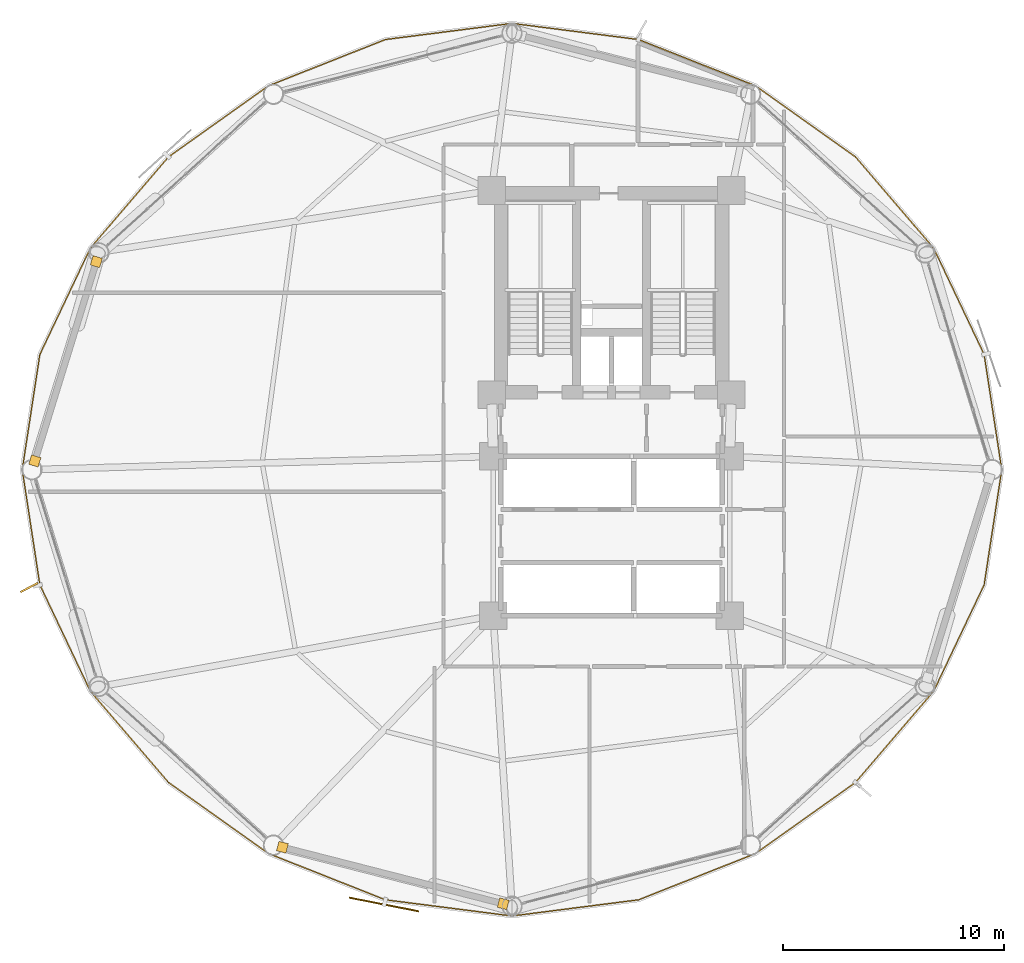
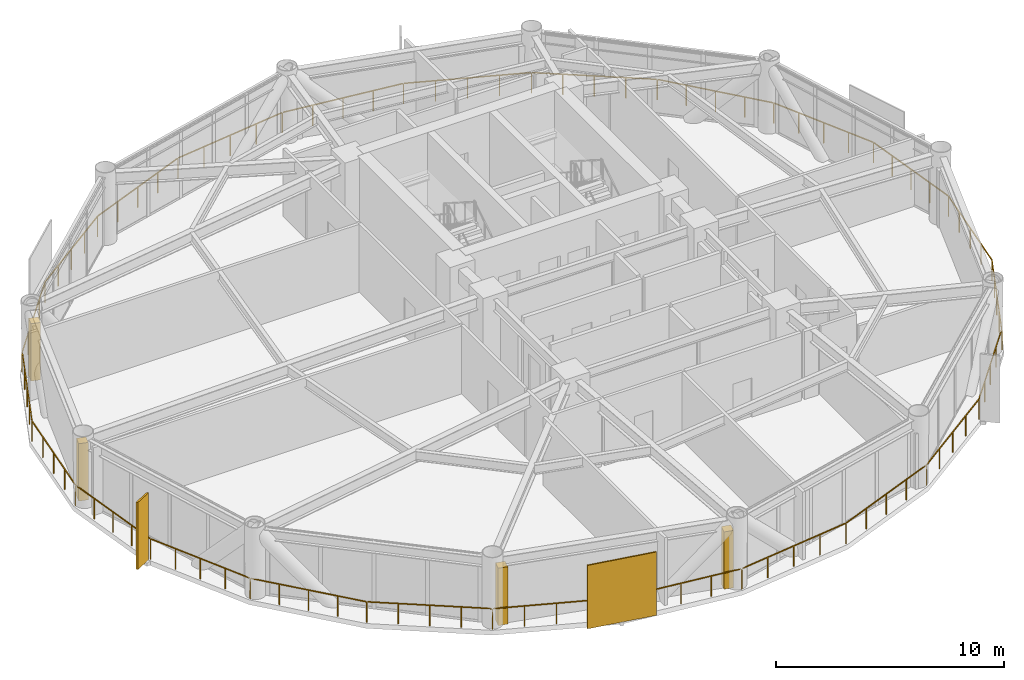
# One storey, part 23 of 25: 4 coverings, 2 shading devices, 1 railing.
"""IFC4 building model written with IfcOpenShell, lengths in metres."""

import ifcopenshell
import ifcopenshell.guid

model = None  # the IFC model being written
_history = None  # IfcOwnerHistory: only IFC2X3 demands one
_inside = {}  # id of a spatial element -> (the spatial element, [elements in it])
_under = {}  # id of a project, library or spatial element -> (it, [spatial elements below it])
_declared = {}  # id of a project -> (the project, [libraries it declares])
_typed = {}  # id of a type object -> (the type object, [elements of that type])
_made_of = {}  # id of a material, layer set ... -> (it, [elements and type objects made of it])


def new_model(schema):
    """Start an empty IFC model of exactly this schema.

    Asked for "IFC4X3", IfcOpenShell would pick the latest addendum, in which some entities
    have other attributes; the version numbers below select the first issue.
    IFC2X3 requires an IfcOwnerHistory on every rooted entity: one is made here for all.
    """
    global model, _history
    if schema == "IFC4X3":
        model = ifcopenshell.file(schema_version=(4, 3, 0, 0))
    else:
        model = ifcopenshell.file(schema=schema)
    _inside.clear()
    _under.clear()
    _declared.clear()
    _typed.clear()
    _made_of.clear()
    _history = None
    if model.schema == "IFC2X3":
        org = make("IfcOrganization", Name="unknown")
        user = make(
            "IfcPersonAndOrganization",
            ThePerson=make("IfcPerson", FamilyName="unknown"),
            TheOrganization=org,
        )
        app = make(
            "IfcApplication",
            ApplicationDeveloper=org,
            Version="unknown",
            ApplicationFullName="unknown",
            ApplicationIdentifier="unknown",
        )
        _history = make(
            "IfcOwnerHistory",
            OwningUser=user,
            OwningApplication=app,
            ChangeAction="ADDED",
            CreationDate=0,
        )
    return model


def make(cls, **values):
    """One entity of the class cls with the attributes given. An attribute that is None is left unset."""
    return model.create_entity(
        cls, **{name: value for name, value in values.items() if value is not None}
    )


def rooted(cls, **values):
    """An entity with a GlobalId (a new one), such as an element, a storey or a relation."""
    return make(cls, GlobalId=ifcopenshell.guid.new(), OwnerHistory=_history, **values)


def si_unit(unit_type, name, prefix=None):
    """IfcSIUnit, for example si_unit("LENGTHUNIT", "METRE", prefix="MILLI")."""
    return make("IfcSIUnit", UnitType=unit_type, Prefix=prefix, Name=name)


def assignment(units):
    """IfcUnitAssignment: the units of a project."""
    return None if units is None else make("IfcUnitAssignment", Units=units)


def point(xyz):
    """IfcCartesianPoint."""
    return None if xyz is None else make("IfcCartesianPoint", Coordinates=xyz)


def direction(xyz):
    """IfcDirection."""
    return None if xyz is None else make("IfcDirection", DirectionRatios=xyz)


def frame(location, z_axis=None, x_axis=None):
    """IfcAxis2Placement3D, a coordinate frame: its origin and axes. An axis left out is left unset."""
    return make(
        "IfcAxis2Placement3D",
        Location=point(location),
        Axis=direction(z_axis),
        RefDirection=direction(x_axis),
    )


def frame_2d(location, x_axis=None):
    """IfcAxis2Placement2D, a coordinate frame in the plane: its origin and x axis."""
    return make(
        "IfcAxis2Placement2D", Location=point(location), RefDirection=direction(x_axis)
    )


def origin():
    """The frame at (0, 0, 0) with its axes left unset."""
    return frame((0.0, 0.0, 0.0))


def origin_2d():
    """The frame at (0, 0) in the plane with its x axis left unset."""
    return frame_2d((0.0, 0.0))


def place(relative_to, where):
    """IfcLocalPlacement: puts the frame where relative to a parent placement (None: the world)."""
    return make(
        "IfcLocalPlacement", PlacementRelTo=relative_to, RelativePlacement=where
    )


def context(
    kind, dimensions, precision=None, world=None, true_north=None, identifier=None
):
    """IfcGeometricRepresentationContext, for example the 3D "Model" context."""
    return make(
        "IfcGeometricRepresentationContext",
        ContextIdentifier=identifier,
        ContextType=kind,
        CoordinateSpaceDimension=dimensions,
        Precision=precision,
        WorldCoordinateSystem=world,
        TrueNorth=true_north,
    )


def subcontext(parent, identifier, kind, view, scale=None):
    """IfcGeometricRepresentationSubContext, for example "Body" below "Model"."""
    return make(
        "IfcGeometricRepresentationSubContext",
        ContextIdentifier=identifier,
        ContextType=kind,
        ParentContext=parent,
        TargetScale=scale,
        TargetView=view,
    )


def project(units=None, contexts=None):
    """IfcProject with its units and contexts."""
    return rooted(
        "IfcProject",
        Name="project",
        RepresentationContexts=contexts,
        UnitsInContext=assignment(units),
    )


def spatial(cls, under=None, at=None, **own):
    """A site, building, storey or space (cls), placed at a placement, below another one or the project."""
    s = rooted(cls, ObjectPlacement=at, **own)
    if under is not None:
        _under.setdefault(under.id(), (under, []))[1].append(s)
    return s


def profile(cls, at=None, kind="AREA", **sizes):
    """A parametric profile (cls). Its sizes go by their IFC names, for example OverallWidth=200.0."""
    return make(cls, ProfileType=kind, Position=at, **sizes)


def rectangle(**sizes):
    """IfcRectangleProfileDef."""
    return profile("IfcRectangleProfileDef", **sizes)


def extrude(swept, where, along, depth):
    """IfcExtrudedAreaSolid: the profile swept, set in the frame where, extruded along a direction by depth."""
    return make(
        "IfcExtrudedAreaSolid",
        SweptArea=swept,
        Position=where,
        ExtrudedDirection=direction(along),
        Depth=depth,
    )


def shape(context_of_items, identifier, shape_type, items):
    """IfcShapeRepresentation: the items that make up one representation, for example the "Body"."""
    return make(
        "IfcShapeRepresentation",
        ContextOfItems=context_of_items,
        RepresentationIdentifier=identifier,
        RepresentationType=shape_type,
        Items=items,
    )


def source(mapping_origin, context_of_items, identifier, shape_type, items):
    """IfcRepresentationMap: a shape defined once, which mapped items show again and again."""
    return make(
        "IfcRepresentationMap",
        MappingOrigin=mapping_origin,
        MappedRepresentation=shape(context_of_items, identifier, shape_type, items),
    )


def transform(
    local_origin,
    x_axis=None,
    y_axis=None,
    z_axis=None,
    scale=None,
    scale2=None,
    scale3=None,
    uniform=True,
):
    """IfcCartesianTransformationOperator3D, or its non-uniform kind. x_axis, y_axis, z_axis: its Axis1, 2, 3."""
    if uniform:
        return make(
            "IfcCartesianTransformationOperator3D",
            Axis1=direction(x_axis),
            Axis2=direction(y_axis),
            LocalOrigin=point(local_origin),
            Scale=scale,
            Axis3=direction(z_axis),
        )
    return make(
        "IfcCartesianTransformationOperator3DnonUniform",
        Axis1=direction(x_axis),
        Axis2=direction(y_axis),
        LocalOrigin=point(local_origin),
        Scale=scale,
        Axis3=direction(z_axis),
        Scale2=scale2,
        Scale3=scale3,
    )


def mapped(mapping_source, mapping_target):
    """IfcMappedItem: shows the shape of a source again, moved by a transform."""
    return make(
        "IfcMappedItem", MappingSource=mapping_source, MappingTarget=mapping_target
    )


def material(Name=None, Category=None):
    """IfcMaterial."""
    return make("IfcMaterial", Name=Name, Category=Category)


def layer(
    of_material, thickness, ventilated=None, Name=None, Category=None, Priority=None
):
    """IfcMaterialLayer: one layer of a wall or slab, of a material (None: an air gap)."""
    return make(
        "IfcMaterialLayer",
        Material=of_material,
        LayerThickness=thickness,
        IsVentilated=ventilated,
        Name=Name,
        Category=Category,
        Priority=Priority,
    )


def layer_set(layers, Name=None):
    """IfcMaterialLayerSet."""
    return make("IfcMaterialLayerSet", MaterialLayers=layers, LayerSetName=Name)


def made_of(thing, what):
    """Note that an element or type object is made of a material, layer set ...; save() writes the relation."""
    if what is not None:
        _made_of.setdefault(what.id(), (what, []))[1].append(thing)
    return thing


def type_object(cls, material=None, **own):
    """A type object (cls), such as IfcWallType, which elements share."""
    return made_of(rooted(cls, **own), material)


def type_shapes(of_type, sources):
    """Give a type object the sources (RepresentationMaps) that its elements show as mapped items."""
    of_type.RepresentationMaps = sources


def element(
    cls,
    number,
    at=None,
    inside=None,
    cuts=None,
    type_object=None,
    material=None,
    context=None,
    identifier="Body",
    shape_type=None,
    held_by="IfcProductDefinitionShape",
    body=None,
    shapes=None,
    **own,
):
    """One element of the class cls, such as IfcWall. Its Tag is "e" and its number.

    at: its placement. inside: the storey or other place that contains it. cuts: it is an
    opening in that element (IfcRelVoidsElement). A single representation is given by context,
    identifier, shape_type and body (its items); several are given by shapes. held_by: the class
    of the entity that holds the representations. save() writes the other relations.
    """
    e = rooted(cls, Tag="e%d" % number, ObjectPlacement=at, **own)
    if body is not None:
        shapes = [shape(context, identifier, shape_type, body)]
    if shapes is not None:
        e.Representation = make(held_by, Representations=shapes)
    if inside is not None:
        _inside.setdefault(inside.id(), (inside, []))[1].append(e)
    if cuts is not None:
        rooted(
            "IfcRelVoidsElement", RelatingBuildingElement=cuts, RelatedOpeningElement=e
        )
    if type_object is not None:
        _typed.setdefault(type_object.id(), (type_object, []))[1].append(e)
    return made_of(e, material)


def aggregate(whole, parts):
    """IfcRelAggregates: a whole, such as a stair, and the parts it consists of."""
    return rooted("IfcRelAggregates", RelatingObject=whole, RelatedObjects=parts)


def save(model, path):
    """Write the relations noted so far, then the file.

    IfcRelAggregates (storeys below a building ...), IfcRelContainedInSpatialStructure (elements
    in a storey), IfcRelDefinesByType, IfcRelAssociatesMaterial and IfcRelDeclares: one each for
    every whole, place, type object, material and project.
    """
    for whole, parts in _under.values():
        aggregate(whole, parts)
    for where, things in _inside.values():
        rooted(
            "IfcRelContainedInSpatialStructure",
            RelatedElements=things,
            RelatingStructure=where,
        )
    for kind, things in _typed.values():
        rooted("IfcRelDefinesByType", RelatedObjects=things, RelatingType=kind)
    for what, things in _made_of.values():
        rooted("IfcRelAssociatesMaterial", RelatedObjects=things, RelatingMaterial=what)
    for by, libraries in _declared.values():
        rooted("IfcRelDeclares", RelatingContext=by, RelatedDefinitions=libraries)
    model.write(path)


model = new_model("IFC4")

# Units and contexts
model_context = context("Model", 3, precision=1e-05, world=origin(), true_north=direction((0.0, 1.0)))
body_context = subcontext(model_context, "Body", "Model", "MODEL_VIEW")
ifc_project = project(units=[si_unit("LENGTHUNIT", "METRE"), si_unit("AREAUNIT", "SQUARE_METRE"), si_unit("VOLUMEUNIT", "CUBIC_METRE"), si_unit("PLANEANGLEUNIT", "RADIAN"), si_unit("MASSUNIT", "GRAM", prefix="KILO")], contexts=[model_context])

# Site, building, storey
site_placement = place(None, origin())
site = spatial("IfcSite", under=ifc_project, at=site_placement, CompositionType="ELEMENT")
building_placement = place(site_placement, origin())
building = spatial("IfcBuilding", under=site, at=building_placement, Name="Varnakorn Sky Granary", CompositionType="ELEMENT")
storey_placement = place(building_placement, frame((0.0, 0.0, 70.5)))
storey = spatial("IfcBuildingStorey", under=building, at=storey_placement, Name="L17", CompositionType="ELEMENT", Elevation=70.5)

# Railing
ifc_material = material(Name="Anodised Bronze Aluminium Alloy 6063-T6", Category="aluminium")
railing_type = type_object("IfcRailingType", Name="RL-BAL-1120", PredefinedType="BALUSTRADE", material=ifc_material)
railing_placement = place(storey_placement, frame((20.642822265625, 0.0, 0.0)))
element("IfcRailing", 1, at=railing_placement, inside=storey, type_object=railing_type, Name="Perimeter Slab-Edge Safety Guard L17", PredefinedType="BALUSTRADE", context=body_context, shape_type="SweptSolid", body=[
    extrude(rectangle(XDim=0.048095703125, YDim=0.048095703125, at=origin_2d()), frame((-0.004150390625, -0.027587890625, 1.09619140625), z_axis=(-0.15127007474, -0.988492470628, 0.0), x_axis=(0.988492470628, -0.15127007474, 0.0)), (0.0, 0.0, 1.0), 5.2119140625),
    extrude(rectangle(XDim=0.048095703125, YDim=0.048095703125, at=origin_2d()), frame((-0.808837890625, -5.232666015625, 1.09619140625), z_axis=(-0.428870677809, -0.903365895811, 0.0), x_axis=(0.903365895811, -0.428870677809, 0.0)), (0.0, 0.0, 1.0), 5.268310546875),
    extrude(rectangle(XDim=0.048095703125, YDim=0.048095703125, at=origin_2d()), frame((-3.0986328125, -10.038330078125, 1.09619140625), z_axis=(-0.650457767009, -0.759542423659, 0.0), x_axis=(0.759542423659, -0.650457767009, 0.0)), (0.0, 0.0, 1.0), 5.369140625),
    extrude(rectangle(XDim=0.048095703125, YDim=0.048095703125, at=origin_2d()), frame((-6.6318359375, -14.15380859375, 1.09619140625), z_axis=(-0.814993607154, -0.579469947709, 0.0), x_axis=(0.579469947709, -0.814993607154, 0.0)), (0.0, 0.0, 1.0), 5.4990234375),
    extrude(rectangle(XDim=0.048095703125, YDim=0.048095703125, at=origin_2d()), frame((-11.16259765625, -17.366943359375, 1.09619140625), z_axis=(-0.929926906078, -0.367744407641, 0.0), x_axis=(0.367744407641, -0.929926906078, 0.0)), (0.0, 0.0, 1.0), 5.628173828125),
    extrude(rectangle(XDim=0.048095703125, YDim=0.048095703125, at=origin_2d()), frame((-16.4501953125, -19.45068359375, 1.09619140625), z_axis=(-0.991929514451, -0.12679052946, 0.0), x_axis=(0.12679052946, -0.991929514451, 0.0)), (0.0, 0.0, 1.0), 5.7109375),
    extrude(rectangle(XDim=0.048095703125, YDim=0.048095703125, at=origin_2d()), frame((-22.170654296875, -20.174560546875, 1.09619140625), z_axis=(-0.991929514451, 0.12679052946, 0.0), x_axis=(-0.12679052946, -0.991929514451, 0.0)), (0.0, 0.0, 1.0), 5.7109375),
    extrude(rectangle(XDim=0.048095703125, YDim=0.048095703125, at=origin_2d()), frame((-27.889404296875, -19.436767578125, 1.09619140625), z_axis=(-0.929926906078, 0.367744407641, 0.0), x_axis=(-0.367744407641, -0.929926906078, 0.0)), (0.0, 0.0, 1.0), 5.628173828125),
    extrude(rectangle(XDim=0.048095703125, YDim=0.048095703125, at=origin_2d()), frame((-33.171875, -17.340576171875, 1.09619140625), z_axis=(-0.814993607154, 0.579469947709, 0.0), x_axis=(-0.579469947709, -0.814993607154, 0.0)), (0.0, 0.0, 1.0), 5.4990234375),
    extrude(rectangle(XDim=0.048095703125, YDim=0.048095703125, at=origin_2d()), frame((-37.69482421875, -14.116455078125, 1.09619140625), z_axis=(-0.650457767009, 0.759542423659, 0.0), x_axis=(-0.759542423659, -0.650457767009, 0.0)), (0.0, 0.0, 1.0), 5.369140625),
    extrude(rectangle(XDim=0.048095703125, YDim=0.048095703125, at=origin_2d()), frame((-41.21728515625, -9.99169921875, 1.09619140625), z_axis=(-0.428870677809, 0.903365895811, 0.0), x_axis=(-0.903365895811, -0.428870677809, 0.0)), (0.0, 0.0, 1.0), 5.268310546875),
    extrude(rectangle(XDim=0.048095703125, YDim=0.048095703125, at=origin_2d()), frame((-43.492919921875, -5.1796875, 1.09619140625), z_axis=(-0.15127007474, 0.988492470628, 0.0), x_axis=(-0.988492470628, -0.15127007474, 0.0)), (0.0, 0.0, 1.0), 5.2119140625),
    extrude(rectangle(XDim=0.048095703125, YDim=0.048095703125, at=origin_2d()), frame((-44.281494140625, 0.027587890625, 1.09619140625), z_axis=(0.15127007474, 0.988492470628, 0.0), x_axis=(-0.988492470628, 0.15127007474, 0.0)), (0.0, 0.0, 1.0), 5.2119140625),
    extrude(rectangle(XDim=0.048095703125, YDim=0.048095703125, at=origin_2d()), frame((-43.476806640625, 5.232666015625, 1.09619140625), z_axis=(0.428870677809, 0.903365895811, 0.0), x_axis=(-0.903365895811, 0.428870677809, 0.0)), (0.0, 0.0, 1.0), 5.268310546875),
    extrude(rectangle(XDim=0.048095703125, YDim=0.048095703125, at=origin_2d()), frame((-41.18701171875, 10.038330078125, 1.09619140625), z_axis=(0.650457767009, 0.759542423659, 0.0), x_axis=(-0.759542423659, 0.650457767009, 0.0)), (0.0, 0.0, 1.0), 5.369140625),
    extrude(rectangle(XDim=0.048095703125, YDim=0.048095703125, at=origin_2d()), frame((-37.65380859375, 14.15380859375, 1.09619140625), z_axis=(0.814993607154, 0.579469947709, 0.0), x_axis=(-0.579469947709, 0.814993607154, 0.0)), (0.0, 0.0, 1.0), 5.4990234375),
    extrude(rectangle(XDim=0.048095703125, YDim=0.048095703125, at=origin_2d()), frame((-33.123046875, 17.366943359375, 1.09619140625), z_axis=(0.929926906078, 0.367744407641, 0.0), x_axis=(-0.367744407641, 0.929926906078, 0.0)), (0.0, 0.0, 1.0), 5.628173828125),
    extrude(rectangle(XDim=0.048095703125, YDim=0.048095703125, at=origin_2d()), frame((-27.83544921875, 19.45068359375, 1.09619140625), z_axis=(0.991929514451, 0.12679052946, 0.0), x_axis=(-0.12679052946, 0.991929514451, 0.0)), (0.0, 0.0, 1.0), 5.7109375),
    extrude(rectangle(XDim=0.048095703125, YDim=0.048095703125, at=origin_2d()), frame((-22.114990234375, 20.174560546875, 1.09619140625), z_axis=(0.991929514451, -0.12679052946, 0.0), x_axis=(0.12679052946, 0.991929514451, 0.0)), (0.0, 0.0, 1.0), 5.7109375),
    extrude(rectangle(XDim=0.048095703125, YDim=0.048095703125, at=origin_2d()), frame((-16.396240234375, 19.436767578125, 1.09619140625), z_axis=(0.929926906078, -0.367744407641, 0.0), x_axis=(0.367744407641, 0.929926906078, 0.0)), (0.0, 0.0, 1.0), 5.628173828125),
    extrude(rectangle(XDim=0.048095703125, YDim=0.048095703125, at=origin_2d()), frame((-11.11376953125, 17.340576171875, 1.09619140625), z_axis=(0.814993607154, -0.579469947709, 0.0), x_axis=(0.579469947709, 0.814993607154, 0.0)), (0.0, 0.0, 1.0), 5.4990234375),
    extrude(rectangle(XDim=0.048095703125, YDim=0.048095703125, at=origin_2d()), frame((-6.5908203125, 14.116455078125, 1.09619140625), z_axis=(0.650457767009, -0.759542423659, 0.0), x_axis=(0.759542423659, 0.650457767009, 0.0)), (0.0, 0.0, 1.0), 5.369140625),
    extrude(rectangle(XDim=0.048095703125, YDim=0.048095703125, at=origin_2d()), frame((-3.068359375, 9.99169921875, 1.09619140625), z_axis=(0.428870677809, -0.903365895811, 0.0), x_axis=(0.903365895811, 0.428870677809, 0.0)), (0.0, 0.0, 1.0), 5.268310546875),
    extrude(rectangle(XDim=0.048095703125, YDim=0.048095703125, at=origin_2d()), frame((-0.792724609375, 5.1796875, 1.09619140625), z_axis=(0.15127007474, -0.988492470628, 0.0), x_axis=(0.988492470628, 0.15127007474, 0.0)), (0.0, 0.0, 1.0), 5.2119140625),
    extrude(rectangle(XDim=0.0419921875, YDim=0.0419921875, at=origin_2d()), origin(), (0.0, 0.0, 1.0), 1.068115234375),
    extrude(rectangle(XDim=0.0419921875, YDim=0.0419921875, at=origin_2d()), frame((-0.19921875, -1.3017578125, 0.0)), (0.0, 0.0, 1.0), 1.068115234375),
    extrude(rectangle(XDim=0.0419921875, YDim=0.0419921875, at=origin_2d()), frame((-0.3984375, -2.603515625, 0.0)), (0.0, 0.0, 1.0), 1.068115234375),
    extrude(rectangle(XDim=0.0419921875, YDim=0.0419921875, at=origin_2d()), frame((-0.59765625, -3.905517578125, 0.0)), (0.0, 0.0, 1.0), 1.068115234375),
    extrude(rectangle(XDim=0.0419921875, YDim=0.0419921875, at=origin_2d()), frame((-0.796875, -5.207275390625, 0.0)), (0.0, 0.0, 1.0), 1.068115234375),
    extrude(rectangle(XDim=0.0419921875, YDim=0.0419921875, at=origin_2d()), frame((-1.36767578125, -6.40966796875, 0.0)), (0.0, 0.0, 1.0), 1.068115234375),
    extrude(rectangle(XDim=0.0419921875, YDim=0.0419921875, at=origin_2d()), frame((-1.9384765625, -7.6123046875, 0.0)), (0.0, 0.0, 1.0), 1.068115234375),
    extrude(rectangle(XDim=0.0419921875, YDim=0.0419921875, at=origin_2d()), frame((-2.509521484375, -8.814697265625, 0.0)), (0.0, 0.0, 1.0), 1.068115234375),
    extrude(rectangle(XDim=0.0419921875, YDim=0.0419921875, at=origin_2d()), frame((-3.080322265625, -10.01708984375, 0.0)), (0.0, 0.0, 1.0), 1.068115234375),
    extrude(rectangle(XDim=0.0419921875, YDim=0.0419921875, at=origin_2d()), frame((-3.96240234375, -11.04736328125, 0.0)), (0.0, 0.0, 1.0), 1.068115234375),
    extrude(rectangle(XDim=0.0419921875, YDim=0.0419921875, at=origin_2d()), frame((-4.8447265625, -12.077392578125, 0.0)), (0.0, 0.0, 1.0), 1.068115234375),
    extrude(rectangle(XDim=0.0419921875, YDim=0.0419921875, at=origin_2d()), frame((-5.72705078125, -13.107421875, 0.0)), (0.0, 0.0, 1.0), 1.068115234375),
    extrude(rectangle(XDim=0.0419921875, YDim=0.0419921875, at=origin_2d()), frame((-6.609130859375, -14.1376953125, 0.0)), (0.0, 0.0, 1.0), 1.068115234375),
    extrude(rectangle(XDim=0.0419921875, YDim=0.0419921875, at=origin_2d()), frame((-7.740966796875, -14.9423828125, 0.0)), (0.0, 0.0, 1.0), 1.068115234375),
    extrude(rectangle(XDim=0.0419921875, YDim=0.0419921875, at=origin_2d()), frame((-8.872802734375, -15.7470703125, 0.0)), (0.0, 0.0, 1.0), 1.068115234375),
    extrude(rectangle(XDim=0.0419921875, YDim=0.0419921875, at=origin_2d()), frame((-10.004638671875, -16.552001953125, 0.0)), (0.0, 0.0, 1.0), 1.068115234375),
    extrude(rectangle(XDim=0.0419921875, YDim=0.0419921875, at=origin_2d()), frame((-11.136474609375, -17.356689453125, 0.0)), (0.0, 0.0, 1.0), 1.068115234375),
    extrude(rectangle(XDim=0.0419921875, YDim=0.0419921875, at=origin_2d()), frame((-12.4580078125, -17.87939453125, 0.0)), (0.0, 0.0, 1.0), 1.068115234375),
    extrude(rectangle(XDim=0.0419921875, YDim=0.0419921875, at=origin_2d()), frame((-13.779296875, -18.40185546875, 0.0)), (0.0, 0.0, 1.0), 1.068115234375),
    extrude(rectangle(XDim=0.0419921875, YDim=0.0419921875, at=origin_2d()), frame((-15.100830078125, -18.92431640625, 0.0)), (0.0, 0.0, 1.0), 1.068115234375),
    extrude(rectangle(XDim=0.0419921875, YDim=0.0419921875, at=origin_2d()), frame((-16.42236328125, -19.447021484375, 0.0)), (0.0, 0.0, 1.0), 1.068115234375),
    extrude(rectangle(XDim=0.0419921875, YDim=0.0419921875, at=origin_2d()), frame((-17.8525390625, -19.6298828125, 0.0)), (0.0, 0.0, 1.0), 1.068115234375),
    extrude(rectangle(XDim=0.0419921875, YDim=0.0419921875, at=origin_2d()), frame((-19.28271484375, -19.8125, 0.0)), (0.0, 0.0, 1.0), 1.068115234375),
    extrude(rectangle(XDim=0.0419921875, YDim=0.0419921875, at=origin_2d()), frame((-20.712646484375, -19.995361328125, 0.0)), (0.0, 0.0, 1.0), 1.068115234375),
    extrude(rectangle(XDim=0.0419921875, YDim=0.0419921875, at=origin_2d()), frame((-22.142822265625, -20.17822265625, 0.0)), (0.0, 0.0, 1.0), 1.068115234375),
    extrude(rectangle(XDim=0.0419921875, YDim=0.0419921875, at=origin_2d()), frame((-23.572998046875, -19.995361328125, 0.0)), (0.0, 0.0, 1.0), 1.068115234375),
    extrude(rectangle(XDim=0.0419921875, YDim=0.0419921875, at=origin_2d()), frame((-25.0029296875, -19.8125, 0.0)), (0.0, 0.0, 1.0), 1.068115234375),
    extrude(rectangle(XDim=0.0419921875, YDim=0.0419921875, at=origin_2d()), frame((-26.43310546875, -19.6298828125, 0.0)), (0.0, 0.0, 1.0), 1.068115234375),
    extrude(rectangle(XDim=0.0419921875, YDim=0.0419921875, at=origin_2d()), frame((-27.86328125, -19.447021484375, 0.0)), (0.0, 0.0, 1.0), 1.068115234375),
    extrude(rectangle(XDim=0.0419921875, YDim=0.0419921875, at=origin_2d()), frame((-29.184814453125, -18.92431640625, 0.0)), (0.0, 0.0, 1.0), 1.068115234375),
    extrude(rectangle(XDim=0.0419921875, YDim=0.0419921875, at=origin_2d()), frame((-30.50634765625, -18.40185546875, 0.0)), (0.0, 0.0, 1.0), 1.068115234375),
    extrude(rectangle(XDim=0.0419921875, YDim=0.0419921875, at=origin_2d()), frame((-31.82763671875, -17.87939453125, 0.0)), (0.0, 0.0, 1.0), 1.068115234375),
    extrude(rectangle(XDim=0.0419921875, YDim=0.0419921875, at=origin_2d()), frame((-33.149169921875, -17.356689453125, 0.0)), (0.0, 0.0, 1.0), 1.068115234375),
    extrude(rectangle(XDim=0.0419921875, YDim=0.0419921875, at=origin_2d()), frame((-34.281005859375, -16.552001953125, 0.0)), (0.0, 0.0, 1.0), 1.068115234375),
    extrude(rectangle(XDim=0.0419921875, YDim=0.0419921875, at=origin_2d()), frame((-35.412841796875, -15.7470703125, 0.0)), (0.0, 0.0, 1.0), 1.068115234375),
    extrude(rectangle(XDim=0.0419921875, YDim=0.0419921875, at=origin_2d()), frame((-36.544677734375, -14.9423828125, 0.0)), (0.0, 0.0, 1.0), 1.068115234375),
    extrude(rectangle(XDim=0.0419921875, YDim=0.0419921875, at=origin_2d()), frame((-37.676513671875, -14.1376953125, 0.0)), (0.0, 0.0, 1.0), 1.068115234375),
    extrude(rectangle(XDim=0.0419921875, YDim=0.0419921875, at=origin_2d()), frame((-38.55859375, -13.107421875, 0.0)), (0.0, 0.0, 1.0), 1.068115234375),
    extrude(rectangle(XDim=0.0419921875, YDim=0.0419921875, at=origin_2d()), frame((-39.44091796875, -12.077392578125, 0.0)), (0.0, 0.0, 1.0), 1.068115234375),
    extrude(rectangle(XDim=0.0419921875, YDim=0.0419921875, at=origin_2d()), frame((-40.3232421875, -11.04736328125, 0.0)), (0.0, 0.0, 1.0), 1.068115234375),
    extrude(rectangle(XDim=0.0419921875, YDim=0.0419921875, at=origin_2d()), frame((-41.205322265625, -10.01708984375, 0.0)), (0.0, 0.0, 1.0), 1.068115234375),
    extrude(rectangle(XDim=0.0419921875, YDim=0.0419921875, at=origin_2d()), frame((-41.776123046875, -8.814697265625, 0.0)), (0.0, 0.0, 1.0), 1.068115234375),
    extrude(rectangle(XDim=0.0419921875, YDim=0.0419921875, at=origin_2d()), frame((-42.34716796875, -7.6123046875, 0.0)), (0.0, 0.0, 1.0), 1.068115234375),
    extrude(rectangle(XDim=0.0419921875, YDim=0.0419921875, at=origin_2d()), frame((-42.91796875, -6.40966796875, 0.0)), (0.0, 0.0, 1.0), 1.068115234375),
    extrude(rectangle(XDim=0.0419921875, YDim=0.0419921875, at=origin_2d()), frame((-43.48876953125, -5.207275390625, 0.0)), (0.0, 0.0, 1.0), 1.068115234375),
    extrude(rectangle(XDim=0.0419921875, YDim=0.0419921875, at=origin_2d()), frame((-43.68798828125, -3.905517578125, 0.0)), (0.0, 0.0, 1.0), 1.068115234375),
    extrude(rectangle(XDim=0.0419921875, YDim=0.0419921875, at=origin_2d()), frame((-43.88720703125, -2.603515625, 0.0)), (0.0, 0.0, 1.0), 1.068115234375),
    extrude(rectangle(XDim=0.0419921875, YDim=0.0419921875, at=origin_2d()), frame((-44.08642578125, -1.3017578125, 0.0)), (0.0, 0.0, 1.0), 1.068115234375),
    extrude(rectangle(XDim=0.0419921875, YDim=0.0419921875, at=origin_2d()), frame((-44.28564453125, 0.0, 0.0)), (0.0, 0.0, 1.0), 1.068115234375),
    extrude(rectangle(XDim=0.0419921875, YDim=0.0419921875, at=origin_2d()), frame((-44.08642578125, 1.3017578125, 0.0)), (0.0, 0.0, 1.0), 1.068115234375),
    extrude(rectangle(XDim=0.0419921875, YDim=0.0419921875, at=origin_2d()), frame((-43.88720703125, 2.603515625, 0.0)), (0.0, 0.0, 1.0), 1.068115234375),
    extrude(rectangle(XDim=0.0419921875, YDim=0.0419921875, at=origin_2d()), frame((-43.68798828125, 3.905517578125, 0.0)), (0.0, 0.0, 1.0), 1.068115234375),
    extrude(rectangle(XDim=0.0419921875, YDim=0.0419921875, at=origin_2d()), frame((-43.48876953125, 5.207275390625, 0.0)), (0.0, 0.0, 1.0), 1.068115234375),
    extrude(rectangle(XDim=0.0419921875, YDim=0.0419921875, at=origin_2d()), frame((-42.91796875, 6.40966796875, 0.0)), (0.0, 0.0, 1.0), 1.068115234375),
    extrude(rectangle(XDim=0.0419921875, YDim=0.0419921875, at=origin_2d()), frame((-42.34716796875, 7.6123046875, 0.0)), (0.0, 0.0, 1.0), 1.068115234375),
    extrude(rectangle(XDim=0.0419921875, YDim=0.0419921875, at=origin_2d()), frame((-41.776123046875, 8.814697265625, 0.0)), (0.0, 0.0, 1.0), 1.068115234375),
    extrude(rectangle(XDim=0.0419921875, YDim=0.0419921875, at=origin_2d()), frame((-41.205322265625, 10.01708984375, 0.0)), (0.0, 0.0, 1.0), 1.068115234375),
    extrude(rectangle(XDim=0.0419921875, YDim=0.0419921875, at=origin_2d()), frame((-40.3232421875, 11.04736328125, 0.0)), (0.0, 0.0, 1.0), 1.068115234375),
    extrude(rectangle(XDim=0.0419921875, YDim=0.0419921875, at=origin_2d()), frame((-39.44091796875, 12.077392578125, 0.0)), (0.0, 0.0, 1.0), 1.068115234375),
    extrude(rectangle(XDim=0.0419921875, YDim=0.0419921875, at=origin_2d()), frame((-38.55859375, 13.107421875, 0.0)), (0.0, 0.0, 1.0), 1.068115234375),
    extrude(rectangle(XDim=0.0419921875, YDim=0.0419921875, at=origin_2d()), frame((-37.676513671875, 14.1376953125, 0.0)), (0.0, 0.0, 1.0), 1.068115234375),
    extrude(rectangle(XDim=0.0419921875, YDim=0.0419921875, at=origin_2d()), frame((-36.544677734375, 14.9423828125, 0.0)), (0.0, 0.0, 1.0), 1.068115234375),
    extrude(rectangle(XDim=0.0419921875, YDim=0.0419921875, at=origin_2d()), frame((-35.412841796875, 15.7470703125, 0.0)), (0.0, 0.0, 1.0), 1.068115234375),
    extrude(rectangle(XDim=0.0419921875, YDim=0.0419921875, at=origin_2d()), frame((-34.281005859375, 16.552001953125, 0.0)), (0.0, 0.0, 1.0), 1.068115234375),
    extrude(rectangle(XDim=0.0419921875, YDim=0.0419921875, at=origin_2d()), frame((-33.149169921875, 17.356689453125, 0.0)), (0.0, 0.0, 1.0), 1.068115234375),
    extrude(rectangle(XDim=0.0419921875, YDim=0.0419921875, at=origin_2d()), frame((-31.82763671875, 17.87939453125, 0.0)), (0.0, 0.0, 1.0), 1.068115234375),
    extrude(rectangle(XDim=0.0419921875, YDim=0.0419921875, at=origin_2d()), frame((-30.50634765625, 18.40185546875, 0.0)), (0.0, 0.0, 1.0), 1.068115234375),
    extrude(rectangle(XDim=0.0419921875, YDim=0.0419921875, at=origin_2d()), frame((-29.184814453125, 18.92431640625, 0.0)), (0.0, 0.0, 1.0), 1.068115234375),
    extrude(rectangle(XDim=0.0419921875, YDim=0.0419921875, at=origin_2d()), frame((-27.86328125, 19.447021484375, 0.0)), (0.0, 0.0, 1.0), 1.068115234375),
    extrude(rectangle(XDim=0.0419921875, YDim=0.0419921875, at=origin_2d()), frame((-26.43310546875, 19.6298828125, 0.0)), (0.0, 0.0, 1.0), 1.068115234375),
    extrude(rectangle(XDim=0.0419921875, YDim=0.0419921875, at=origin_2d()), frame((-25.0029296875, 19.8125, 0.0)), (0.0, 0.0, 1.0), 1.068115234375),
    extrude(rectangle(XDim=0.0419921875, YDim=0.0419921875, at=origin_2d()), frame((-23.572998046875, 19.995361328125, 0.0)), (0.0, 0.0, 1.0), 1.068115234375),
    extrude(rectangle(XDim=0.0419921875, YDim=0.0419921875, at=origin_2d()), frame((-22.142822265625, 20.17822265625, 0.0)), (0.0, 0.0, 1.0), 1.068115234375),
    extrude(rectangle(XDim=0.0419921875, YDim=0.0419921875, at=origin_2d()), frame((-20.712646484375, 19.995361328125, 0.0)), (0.0, 0.0, 1.0), 1.068115234375),
    extrude(rectangle(XDim=0.0419921875, YDim=0.0419921875, at=origin_2d()), frame((-19.28271484375, 19.8125, 0.0)), (0.0, 0.0, 1.0), 1.068115234375),
    extrude(rectangle(XDim=0.0419921875, YDim=0.0419921875, at=origin_2d()), frame((-17.8525390625, 19.6298828125, 0.0)), (0.0, 0.0, 1.0), 1.068115234375),
    extrude(rectangle(XDim=0.0419921875, YDim=0.0419921875, at=origin_2d()), frame((-16.42236328125, 19.447021484375, 0.0)), (0.0, 0.0, 1.0), 1.068115234375),
    extrude(rectangle(XDim=0.0419921875, YDim=0.0419921875, at=origin_2d()), frame((-15.100830078125, 18.92431640625, 0.0)), (0.0, 0.0, 1.0), 1.068115234375),
    extrude(rectangle(XDim=0.0419921875, YDim=0.0419921875, at=origin_2d()), frame((-13.779296875, 18.40185546875, 0.0)), (0.0, 0.0, 1.0), 1.068115234375),
    extrude(rectangle(XDim=0.0419921875, YDim=0.0419921875, at=origin_2d()), frame((-12.4580078125, 17.87939453125, 0.0)), (0.0, 0.0, 1.0), 1.068115234375),
    extrude(rectangle(XDim=0.0419921875, YDim=0.0419921875, at=origin_2d()), frame((-11.136474609375, 17.356689453125, 0.0)), (0.0, 0.0, 1.0), 1.068115234375),
    extrude(rectangle(XDim=0.0419921875, YDim=0.0419921875, at=origin_2d()), frame((-10.004638671875, 16.552001953125, 0.0)), (0.0, 0.0, 1.0), 1.068115234375),
    extrude(rectangle(XDim=0.0419921875, YDim=0.0419921875, at=origin_2d()), frame((-8.872802734375, 15.7470703125, 0.0)), (0.0, 0.0, 1.0), 1.068115234375),
    extrude(rectangle(XDim=0.0419921875, YDim=0.0419921875, at=origin_2d()), frame((-7.740966796875, 14.9423828125, 0.0)), (0.0, 0.0, 1.0), 1.068115234375),
    extrude(rectangle(XDim=0.0419921875, YDim=0.0419921875, at=origin_2d()), frame((-6.609130859375, 14.1376953125, 0.0)), (0.0, 0.0, 1.0), 1.068115234375),
    extrude(rectangle(XDim=0.0419921875, YDim=0.0419921875, at=origin_2d()), frame((-5.72705078125, 13.107421875, 0.0)), (0.0, 0.0, 1.0), 1.068115234375),
    extrude(rectangle(XDim=0.0419921875, YDim=0.0419921875, at=origin_2d()), frame((-4.8447265625, 12.077392578125, 0.0)), (0.0, 0.0, 1.0), 1.068115234375),
    extrude(rectangle(XDim=0.0419921875, YDim=0.0419921875, at=origin_2d()), frame((-3.96240234375, 11.04736328125, 0.0)), (0.0, 0.0, 1.0), 1.068115234375),
    extrude(rectangle(XDim=0.0419921875, YDim=0.0419921875, at=origin_2d()), frame((-3.080322265625, 10.01708984375, 0.0)), (0.0, 0.0, 1.0), 1.068115234375),
    extrude(rectangle(XDim=0.0419921875, YDim=0.0419921875, at=origin_2d()), frame((-2.509521484375, 8.814697265625, 0.0)), (0.0, 0.0, 1.0), 1.068115234375),
    extrude(rectangle(XDim=0.0419921875, YDim=0.0419921875, at=origin_2d()), frame((-1.9384765625, 7.6123046875, 0.0)), (0.0, 0.0, 1.0), 1.068115234375),
    extrude(rectangle(XDim=0.0419921875, YDim=0.0419921875, at=origin_2d()), frame((-1.36767578125, 6.40966796875, 0.0)), (0.0, 0.0, 1.0), 1.068115234375),
    extrude(rectangle(XDim=0.0419921875, YDim=0.0419921875, at=origin_2d()), frame((-0.796875, 5.207275390625, 0.0)), (0.0, 0.0, 1.0), 1.068115234375),
    extrude(rectangle(XDim=0.0419921875, YDim=0.0419921875, at=origin_2d()), frame((-0.59765625, 3.905517578125, 0.0)), (0.0, 0.0, 1.0), 1.068115234375),
    extrude(rectangle(XDim=0.0419921875, YDim=0.0419921875, at=origin_2d()), frame((-0.3984375, 2.603515625, 0.0)), (0.0, 0.0, 1.0), 1.068115234375),
    extrude(rectangle(XDim=0.0419921875, YDim=0.0419921875, at=origin_2d()), frame((-0.19921875, 1.3017578125, 0.0)), (0.0, 0.0, 1.0), 1.068115234375),
])

# Shading device
shading_device_type_1 = type_object("IfcShadingDeviceType", Name="SH-FIN-01", PredefinedType="USERDEFINED", material=ifc_material)
shared_shape_1 = source(origin(), body_context, "Body", "SweptSolid", [
    extrude(rectangle(XDim=0.0849609375, YDim=0.8798828125, at=origin_2d()), origin(), (0.0, 0.0, 1.0), 3.60009765625),
])
type_shapes(shading_device_type_1, [shared_shape_1])
shading_device_1_placement = place(storey_placement, frame((-23.331787109375, -5.3291015625, -0.0400390625), z_axis=(0.0, 0.0, 1.0), x_axis=(0.468211316391, -0.883616524972, 0.0)))
element("IfcShadingDevice", 2, at=shading_device_1_placement, inside=storey, type_object=shading_device_type_1, Name="Bronze Solar-Tracking Vertical Blade FIN L17-07", ObjectType="FIN", PredefinedType="USERDEFINED", context=body_context, shape_type="MappedRepresentation", body=[
    mapped(shared_shape_1, transform((0.0, 0.0, 0.0), x_axis=(1.0, 0.0, 0.0), y_axis=(0.0, 1.0, 0.0), z_axis=(0.0, 0.0, 1.0), scale=1.0)),
])

# Coverings
ifc_layer = layer(ifc_material, 0.050048828125, Name="Anodised Bronze Aluminium Alloy 6063-T6")
ifc_layer_set = layer_set([ifc_layer], Name="Anodised Bronze Aluminium Alloy 6063-T6")
covering_type = type_object("IfcCoveringType", Name="CV-CLAD-50", PredefinedType="CLADDING", material=ifc_layer_set)
shared_shape_2 = source(origin(), body_context, "Body", "SweptSolid", [
    extrude(rectangle(XDim=0.43994140625, YDim=0.43994140625, at=origin_2d()), origin(), (0.0, 0.0, 1.0), 3.080078125),
])
type_shapes(covering_type, [shared_shape_2])
for number, where, z_axis, x_axis, name in (
    (3, (-23.072509765625, 0.393798828125, -0.02001953125), (0.0, 0.0, 1.0), (0.294874299918, 0.955536052301, 0.0), "Bronze Corner Pilaster Closure L17-P06-A"),
    (4, (-20.2919921875, 9.4033203125, -0.02001953125), (0.0, 0.0, 1.0), (0.294874299918, 0.955536052301, 0.0), "Bronze Corner Pilaster Closure L17-P06-B"),
    (5, (-1.899169921875, -19.626708984375, -0.02001953125), (0.0, 0.0, 1.0), (-0.968756543371, 0.248013628006, 0.0), "Bronze Corner Pilaster Closure L17-P09-A"),
    (6, (-11.88037109375, -17.071044921875, -0.02001953125), (0.0, 0.0, 1.0), (-0.968756543371, 0.248013628006, 0.0), "Bronze Corner Pilaster Closure L17-P09-B"),
):
    element("IfcCovering", number, at=place(storey_placement, frame(where, z_axis=z_axis, x_axis=x_axis)), inside=storey, type_object=covering_type, Name=name, PredefinedType="CLADDING", context=body_context, shape_type="MappedRepresentation", body=[
        mapped(shared_shape_2, transform((0.0, 0.0, 0.0), x_axis=(1.0, 0.0, 0.0), y_axis=(0.0, 1.0, 0.0), z_axis=(0.0, 0.0, 1.0), scale=1.0)),
    ])

# Shading device
shading_device_type_2 = type_object("IfcShadingDeviceType", Name="SH-SCR-01", PredefinedType="USERDEFINED", material=ifc_material)
shared_shape_3 = source(origin(), body_context, "Body", "SweptSolid", [
    extrude(rectangle(XDim=3.199951171875, YDim=0.06494140625, at=origin_2d()), origin(), (0.0, 0.0, 1.0), 3.39990234375),
])
type_shapes(shading_device_type_2, [shared_shape_3])
shading_device_2_placement = place(storey_placement, frame((-7.2822265625, -19.65869140625, -0.0400390625), z_axis=(0.0, 0.0, 1.0), x_axis=(0.981157684842, -0.193208688924, 0.0)))
element("IfcShadingDevice", 7, at=shading_device_2_placement, inside=storey, type_object=shading_device_type_2, Name="Perforated Bronze Solar Screen Panel SCREEN L17-09", ObjectType="SCREEN", PredefinedType="USERDEFINED", context=body_context, shape_type="MappedRepresentation", body=[
    mapped(shared_shape_3, transform((0.0, 0.0, 0.0), x_axis=(1.0, 0.0, 0.0), y_axis=(0.0, 1.0, 0.0), z_axis=(0.0, 0.0, 1.0), scale=1.0)),
])

save(model, "model.ifc")
